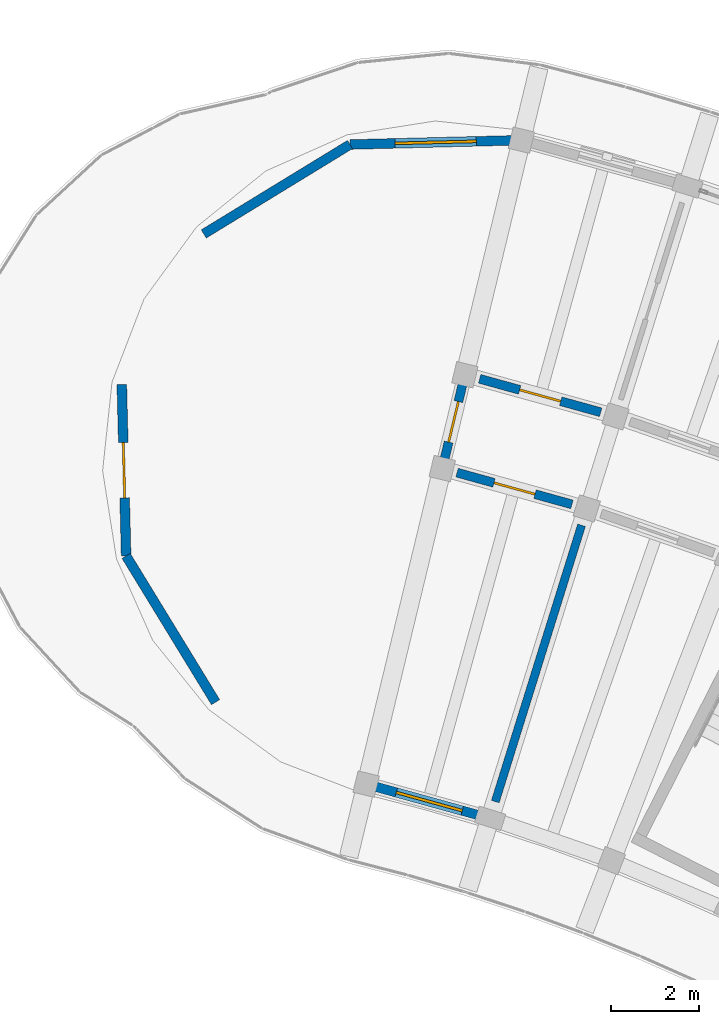
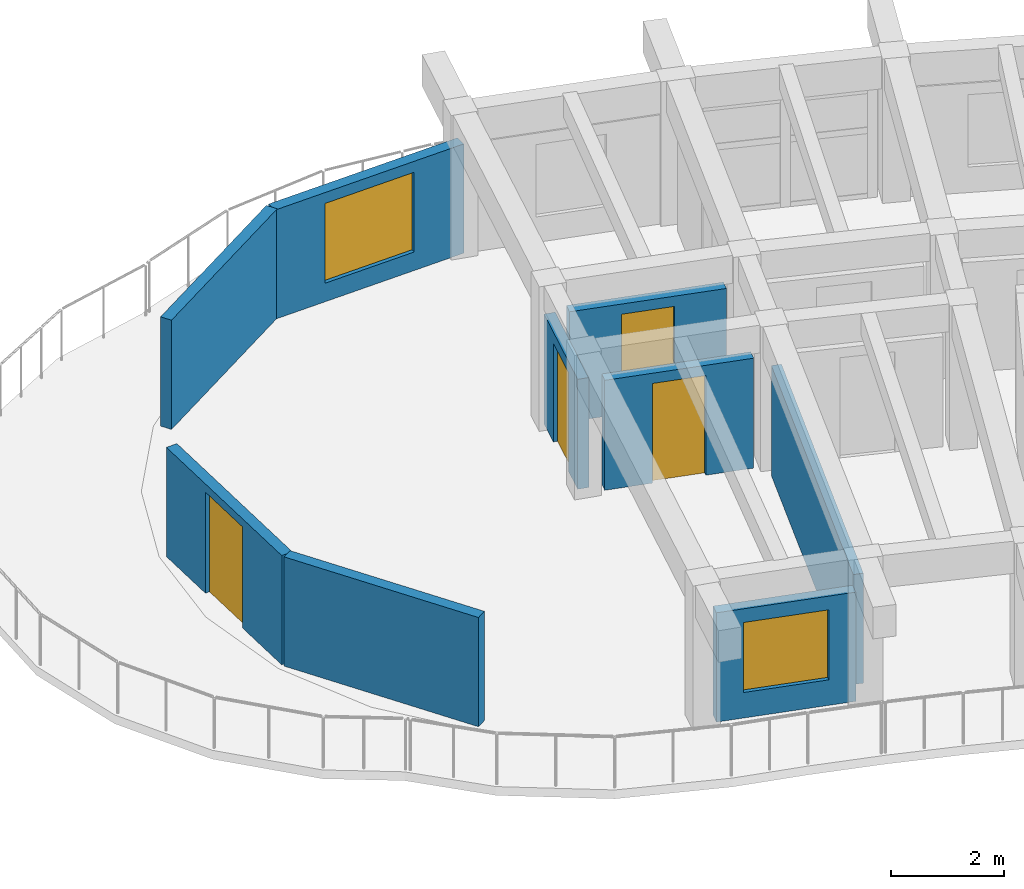
# One storey, part 40 of 62: 9 walls, 4 doors, 2 windows, 6 openings.
"""IFC4 building model written with IfcOpenShell, lengths in metres."""

from ifc_helpers import new_model, si_unit, direction, frame, frame_2d, origin, place, context, subcontext, project, spatial, rectangle, extrude, material, layer, layer_set, type_object, element, fill, save


model = new_model("IFC4")

# Units and contexts
model_context = context("Model", 3, precision=1e-05, world=origin(), true_north=direction((0.0, 1.0)))
body_context = subcontext(model_context, "Body", "Model", "MODEL_VIEW")
ifc_project = project(units=[si_unit("LENGTHUNIT", "METRE"), si_unit("AREAUNIT", "SQUARE_METRE"), si_unit("VOLUMEUNIT", "CUBIC_METRE"), si_unit("PLANEANGLEUNIT", "RADIAN"), si_unit("MASSUNIT", "GRAM", prefix="KILO")], contexts=[model_context])

# Site, building, storey
site_placement = place(None, origin())
site = spatial("IfcSite", under=ifc_project, at=site_placement, CompositionType="ELEMENT")
building_placement = place(site_placement, origin())
building = spatial("IfcBuilding", under=site, at=building_placement, Name="Tanwirah Colonnade Gardens", CompositionType="ELEMENT")
storey_placement = place(building_placement, frame((0.0, 0.0, 32.360107421875)))
storey = spatial("IfcBuildingStorey", under=building, at=storey_placement, Name="L09", CompositionType="ELEMENT", Elevation=32.360107421875)

# Wall, opening, window
ifc_material_1 = material(Name="Limestone architectural precast concrete C40/50", Category="masonry")
ifc_layer_1 = layer(ifc_material_1, 0.219970703125)
ifc_layer_set_1 = layer_set([ifc_layer_1], Name="Limestone architectural precast concrete C40/50")
wall_type_1 = type_object("IfcWallType", Name="EW-PC220", PredefinedType="SOLIDWALL", material=ifc_layer_set_1)
wall_1_placement = place(storey_placement, frame((134.083984375, 102.67529296875, 0.0), z_axis=(0.0, 0.0, 1.0), x_axis=(-0.963872968618, 0.26636234788, 0.0)))
wall_1 = element("IfcWall", 1, at=wall_1_placement, inside=storey, type_object=wall_type_1, Name="Block B L09 IN Precast Facade Wall 15", PredefinedType="SOLIDWALL", context=body_context, shape_type="SweptSolid", body=[
    extrude(rectangle(XDim=2.54541015625, YDim=0.219970703125, at=frame_2d((1.272705078125, 0.0))), origin(), (0.0, 0.0, 1.0), 2.35498046875),
])
opening_1_placement = place(wall_1_placement, frame((0.49267578125, 0.0, 0.550048828125)))
opening_1 = element("IfcOpeningElement", 2, at=opening_1_placement, cuts=wall_1, Name="Opening WIN-U11", PredefinedType="OPENING", context=body_context, shape_type="SweptSolid", body=[
    extrude(rectangle(XDim=1.56005859375, YDim=1.510009765625, at=frame_2d((0.780029296875, 0.7548828125))), frame((0.0, 0.119873046875, 0.0), z_axis=(0.0, -1.0, 0.0), x_axis=(1.0, 0.0, 0.0)), (0.0, 0.0, 1.0), 0.239990234375),
])
ifc_material_2 = material(Name="Thermally broken bronze aluminium and solar low-E double glazing", Category="aluminium")
window_type_1 = type_object("IfcWindowType", Name="WIN-U11", PartitioningType="DOUBLE_PANEL_VERTICAL", PredefinedType="WINDOW", material=ifc_material_2)
window_1_placement = place(opening_1_placement, origin())
window_1 = element("IfcWindow", 3, at=window_1_placement, inside=storey, type_object=window_type_1, Name="Facade window B-L09-IN-15", OverallHeight=1.510009765625, OverallWidth=1.56005859375, PartitioningType="SINGLE_PANEL", PredefinedType="WINDOW", context=body_context, shape_type="SweptSolid", body=[
    extrude(rectangle(XDim=1.56005859375, YDim=1.510009765625, at=frame_2d((0.780029296875, 0.7548828125))), frame((0.0, 0.030029296875, 0.0), z_axis=(0.0, -1.0, 0.0), x_axis=(1.0, 0.0, 0.0)), (0.0, 0.0, 1.0), 0.06005859375),
])
fill(opening_1, window_1)

# Wall
wall_2_placement = place(storey_placement, frame((127.98583984375, 105.27978515625, 0.0), z_axis=(0.0, 0.0, 1.0), x_axis=(-0.521652131435, 0.85315828178, 0.0)))
element("IfcWall", 4, at=wall_2_placement, inside=storey, type_object=wall_type_1, Name="Block B L09 END Rounded End Wall 1", PredefinedType="SOLIDWALL", context=body_context, shape_type="SweptSolid", body=[
    extrude(rectangle(XDim=3.908447265625, YDim=0.219970703125, at=frame_2d((1.9541015625, 0.0))), origin(), (0.0, 0.0, 1.0), 2.35498046875),
])

# Wall, opening, door
wall_3_placement = place(storey_placement, frame((125.947021484375, 108.6142578125, 0.0), z_axis=(0.0, 0.0, 1.0), x_axis=(-0.02523880178, 0.999681450706, 0.0)))
wall_3 = element("IfcWall", 5, at=wall_3_placement, inside=storey, type_object=wall_type_1, Name="Block B L09 END Rounded End Wall 2", PredefinedType="SOLIDWALL", context=body_context, shape_type="SweptSolid", body=[
    extrude(rectangle(XDim=3.907958984375, YDim=0.219970703125, at=frame_2d((1.9541015625, 0.0))), origin(), (0.0, 0.0, 1.0), 2.35498046875),
])
opening_2_placement = place(wall_3_placement, frame((1.32421875, 0.0, 0.0)))
opening_2 = element("IfcOpeningElement", 6, at=opening_2_placement, cuts=wall_3, Name="Opening L09-ED113", PredefinedType="OPENING", context=body_context, shape_type="SweptSolid", body=[
    extrude(rectangle(XDim=1.260009765625, YDim=2.179931640625, at=frame_2d((0.6298828125, 1.08984375))), frame((0.0, 0.119873046875, 0.0), z_axis=(0.0, -1.0, 0.0), x_axis=(1.0, 0.0, 0.0)), (0.0, 0.0, 1.0), 0.239990234375),
])
ifc_material_3 = material(Name="Bronze aluminium glazed terrace door", Category="aluminium")
door_type_1 = type_object("IfcDoorType", Name="ED-TER126", OperationType="NOTDEFINED", PredefinedType="DOOR", material=ifc_material_3)
door_1_placement = place(opening_2_placement, origin())
door_1 = element("IfcDoor", 7, at=door_1_placement, inside=storey, type_object=door_type_1, Name="Stepped corner terrace door L09-ED113", OperationType="SINGLE_SWING_LEFT", OverallHeight=2.179931640625, OverallWidth=1.260009765625, PredefinedType="DOOR", context=body_context, shape_type="SweptSolid", body=[
    extrude(rectangle(XDim=1.260009765625, YDim=2.179931640625, at=frame_2d((0.6298828125, 1.08984375))), frame((0.0, 0.02490234375, 0.0), z_axis=(0.0, -1.0, 0.0), x_axis=(1.0, 0.0, 0.0)), (0.0, 0.0, 1.0), 0.050048828125),
])
fill(opening_2, door_1)

# Wall
wall_4_placement = place(storey_placement, frame((127.716552734375, 115.953857421875, 0.0), z_axis=(0.0, 0.0, 1.0), x_axis=(0.85314128216, 0.521679933171, 0.0)))
element("IfcWall", 8, at=wall_4_placement, inside=storey, type_object=wall_type_1, Name="Block B L09 END Rounded End Wall 4", PredefinedType="SOLIDWALL", context=body_context, shape_type="SweptSolid", body=[
    extrude(rectangle(XDim=3.908203125, YDim=0.219970703125, at=frame_2d((1.9541015625, 0.0))), origin(), (0.0, 0.0, 1.0), 2.35498046875),
])

# Wall, opening, window
wall_5_placement = place(storey_placement, frame((131.05078125, 117.99267578125, 0.0), z_axis=(0.0, 0.0, 1.0), x_axis=(0.999683064576, 0.025174796915, 0.0)))
wall_5 = element("IfcWall", 9, at=wall_5_placement, inside=storey, type_object=wall_type_1, Name="Block B L09 END Rounded End Wall 5", PredefinedType="SOLIDWALL", context=body_context, shape_type="SweptSolid", body=[
    extrude(rectangle(XDim=3.908203125, YDim=0.219970703125, at=frame_2d((1.9541015625, 0.0))), origin(), (0.0, 0.0, 1.0), 2.35498046875),
])
opening_3_placement = place(wall_5_placement, frame((1.029052734375, 0.0, 0.39990234375)))
opening_3 = element("IfcOpeningElement", 10, at=opening_3_placement, cuts=wall_5, Name="Opening WIN-END1", PredefinedType="OPENING", context=body_context, shape_type="SweptSolid", body=[
    extrude(rectangle(XDim=1.85009765625, YDim=1.719970703125, at=frame_2d((0.925048828125, 0.85986328125))), frame((0.0, 0.119873046875, 0.0), z_axis=(0.0, -1.0, 0.0), x_axis=(1.0, 0.0, 0.0)), (0.0, 0.0, 1.0), 0.239990234375),
])
window_type_2 = type_object("IfcWindowType", Name="WIN-END1", PartitioningType="TRIPLE_PANEL_VERTICAL", PredefinedType="WINDOW", material=ifc_material_2)
window_2_placement = place(opening_3_placement, origin())
window_2 = element("IfcWindow", 11, at=window_2_placement, inside=storey, type_object=window_type_2, Name="Rounded corner window B-L09-END-5", OverallHeight=1.719970703125, OverallWidth=1.85009765625, PartitioningType="SINGLE_PANEL", PredefinedType="WINDOW", context=body_context, shape_type="SweptSolid", body=[
    extrude(rectangle(XDim=1.85009765625, YDim=1.719970703125, at=frame_2d((0.925048828125, 0.85986328125))), frame((0.0, 0.030029296875, 0.0), z_axis=(0.0, -1.0, 0.0), x_axis=(1.0, 0.0, 0.0)), (0.0, 0.0, 1.0), 0.06005859375),
])
fill(opening_3, window_2)

# Wall, opening, door
ifc_material_4 = material(Name="Precast concrete C40/50", Category="concrete")
ifc_layer_2 = layer(ifc_material_4, 0.205078125)
ifc_layer_set_2 = layer_set([ifc_layer_2], Name="Precast concrete C40/50")
wall_type_2 = type_object("IfcWallType", Name="IW-CORR205", PredefinedType="PARTITIONING", material=ifc_layer_set_2)
wall_6_placement = place(storey_placement, frame((136.765869140625, 111.888671875, 0.0), z_axis=(0.0, 0.0, 1.0), x_axis=(-0.963890789093, 0.266297853356, 0.0)))
wall_6 = element("IfcWall", 12, at=wall_6_placement, inside=storey, type_object=wall_type_2, Name="Block B L09 OUT Corridor Wall 15", PredefinedType="PARTITIONING", context=body_context, shape_type="SweptSolid", body=[
    extrude(rectangle(XDim=2.863037109375, YDim=0.205078125, at=frame_2d((1.431640625, 0.0))), origin(), (0.0, 0.0, 1.0), 2.369873046875),
])
opening_4_placement = place(wall_6_placement, frame((0.946533203125, 0.0, 0.0)))
opening_4 = element("IfcOpeningElement", 13, at=opening_4_placement, cuts=wall_6, Name="Opening L09-AD1190", PredefinedType="OPENING", context=body_context, shape_type="SweptSolid", body=[
    extrude(rectangle(XDim=0.969970703125, YDim=2.14990234375, at=frame_2d((0.48486328125, 1.074951171875))), frame((0.0, 0.112548828125, 0.0), z_axis=(0.0, -1.0, 0.0), x_axis=(1.0, 0.0, 0.0)), (0.0, 0.0, 1.0), 0.22509765625),
])
ifc_material_5 = material(Name="Solid oak fire-resisting apartment entrance door")
door_type_2 = type_object("IfcDoorType", Name="ID-FLT097", OperationType="NOTDEFINED", PredefinedType="DOOR", material=ifc_material_5)
door_2_placement = place(opening_4_placement, origin())
door_2 = element("IfcDoor", 14, at=door_2_placement, inside=storey, type_object=door_type_2, Name="Apartment corridor door L09-AD1190", OperationType="SINGLE_SWING_LEFT", OverallHeight=2.14990234375, OverallWidth=0.969970703125, PredefinedType="DOOR", context=body_context, shape_type="SweptSolid", body=[
    extrude(rectangle(XDim=0.969970703125, YDim=2.14990234375, at=frame_2d((0.48486328125, 1.074951171875))), frame((0.0, 0.02490234375, 0.0), z_axis=(0.0, -1.0, 0.0), x_axis=(1.0, 0.0, 0.0)), (0.0, 0.0, 1.0), 0.050048828125),
])
fill(opening_4, door_2)

wall_7_placement = place(storey_placement, frame((136.1103515625, 109.78857421875, 0.0), z_axis=(0.0, 0.0, 1.0), x_axis=(-0.96388375821, 0.266323301006, 0.0)))
wall_7 = element("IfcWall", 15, at=wall_7_placement, inside=storey, type_object=wall_type_2, Name="Block B L09 IN Corridor Wall 15", PredefinedType="PARTITIONING", context=body_context, shape_type="SweptSolid", body=[
    extrude(rectangle(XDim=2.718017578125, YDim=0.205078125, at=frame_2d((1.35888671875, 0.0))), origin(), (0.0, 0.0, 1.0), 2.369873046875),
])
opening_5_placement = place(wall_7_placement, frame((0.8740234375, 0.0, 0.0)))
opening_5 = element("IfcOpeningElement", 16, at=opening_5_placement, cuts=wall_7, Name="Opening L09-AD1191", PredefinedType="OPENING", context=body_context, shape_type="SweptSolid", body=[
    extrude(rectangle(XDim=0.969970703125, YDim=2.14990234375, at=frame_2d((0.48486328125, 1.074951171875))), frame((0.0, 0.112548828125, 0.0), z_axis=(0.0, -1.0, 0.0), x_axis=(1.0, 0.0, 0.0)), (0.0, 0.0, 1.0), 0.22509765625),
])
door_3_placement = place(opening_5_placement, origin())
door_3 = element("IfcDoor", 17, at=door_3_placement, inside=storey, type_object=door_type_2, Name="Apartment corridor door L09-AD1191", OperationType="SINGLE_SWING_RIGHT", OverallHeight=2.14990234375, OverallWidth=0.969970703125, PredefinedType="DOOR", context=body_context, shape_type="SweptSolid", body=[
    extrude(rectangle(XDim=0.969970703125, YDim=2.14990234375, at=frame_2d((0.48486328125, 1.074951171875))), frame((0.0, 0.02490234375, 0.0), z_axis=(0.0, -1.0, 0.0), x_axis=(1.0, 0.0, 0.0)), (0.0, 0.0, 1.0), 0.050048828125),
])
fill(opening_5, door_3)

wall_8_placement = place(storey_placement, frame((133.164794921875, 110.654296875, 0.0), z_axis=(0.0, 0.0, 1.0), x_axis=(0.23437535251, 0.972146179407, 0.0)))
wall_8 = element("IfcWall", 18, at=wall_8_placement, inside=storey, type_object=wall_type_2, Name="Block B L09 CE Corner Suite Corridor Wall", PredefinedType="PARTITIONING", context=body_context, shape_type="SweptSolid", body=[
    extrude(rectangle(XDim=2.10009765625, YDim=0.205078125, at=frame_2d((1.050048828125, 0.0))), origin(), (0.0, 0.0, 1.0), 2.369873046875),
])
opening_6_placement = place(wall_8_placement, frame((0.570068359375, 0.0, 0.0)))
opening_6 = element("IfcOpeningElement", 19, at=opening_6_placement, cuts=wall_8, Name="Opening L09-CD1193", PredefinedType="OPENING", context=body_context, shape_type="SweptSolid", body=[
    extrude(rectangle(XDim=0.949951171875, YDim=2.1298828125, at=frame_2d((0.47509765625, 1.06494140625))), frame((0.0, 0.112548828125, 0.0), z_axis=(0.0, -1.0, 0.0), x_axis=(1.0, 0.0, 0.0)), (0.0, 0.0, 1.0), 0.22509765625),
])
door_type_3 = type_object("IfcDoorType", Name="ID-FLT095", OperationType="NOTDEFINED", PredefinedType="DOOR", material=ifc_material_5)
door_4_placement = place(opening_6_placement, origin())
door_4 = element("IfcDoor", 20, at=door_4_placement, inside=storey, type_object=door_type_3, Name="Corner suite entrance door L09-CD1193", OperationType="SINGLE_SWING_RIGHT", OverallHeight=2.1298828125, OverallWidth=0.949951171875, PredefinedType="DOOR", context=body_context, shape_type="SweptSolid", body=[
    extrude(rectangle(XDim=0.949951171875, YDim=2.1298828125, at=frame_2d((0.47509765625, 1.06494140625))), frame((0.0, 0.02490234375, 0.0), z_axis=(0.0, -1.0, 0.0), x_axis=(1.0, 0.0, 0.0)), (0.0, 0.0, 1.0), 0.050048828125),
])
fill(opening_6, door_4)

# Wall
ifc_layer_3 = layer(ifc_material_4, 0.18505859375)
ifc_layer_set_3 = layer_set([ifc_layer_3], Name="Precast concrete C40/50")
wall_type_3 = type_object("IfcWallType", Name="IW-DEM185", PredefinedType="PARTITIONING", material=ifc_layer_set_3)
wall_9_placement = place(storey_placement, frame((134.362060546875, 103.01318359375, 0.0), z_axis=(0.0, 0.0, 1.0), x_axis=(0.2979590431, 0.954578655028, 0.0)))
element("IfcWall", 21, at=wall_9_placement, inside=storey, type_object=wall_type_3, Name="Block B L09 Inner Radial Partition 14", PredefinedType="PARTITIONING", context=body_context, shape_type="SweptSolid", body=[
    extrude(rectangle(XDim=6.60009765625, YDim=0.18505859375, at=frame_2d((3.300048828125, 0.0))), origin(), (0.0, 0.0, 1.0), 2.369873046875),
])

save(model, "model.ifc")
